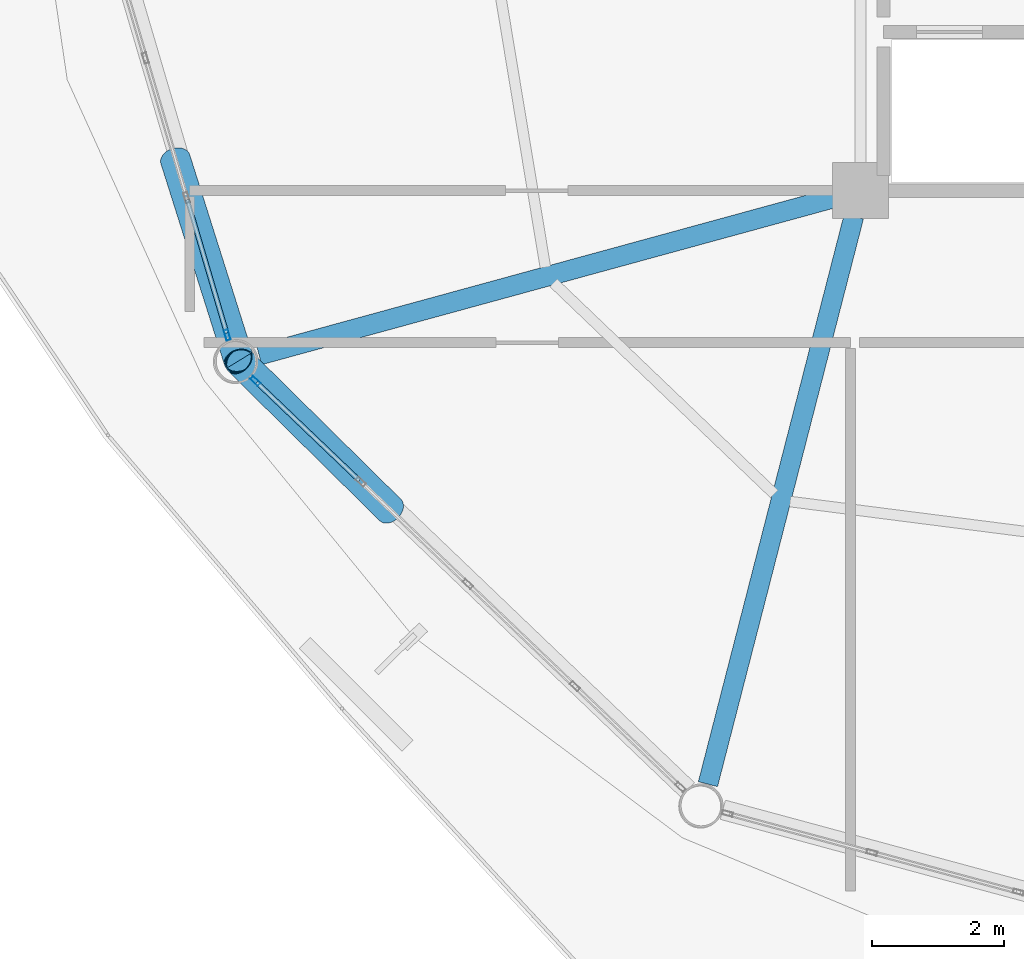
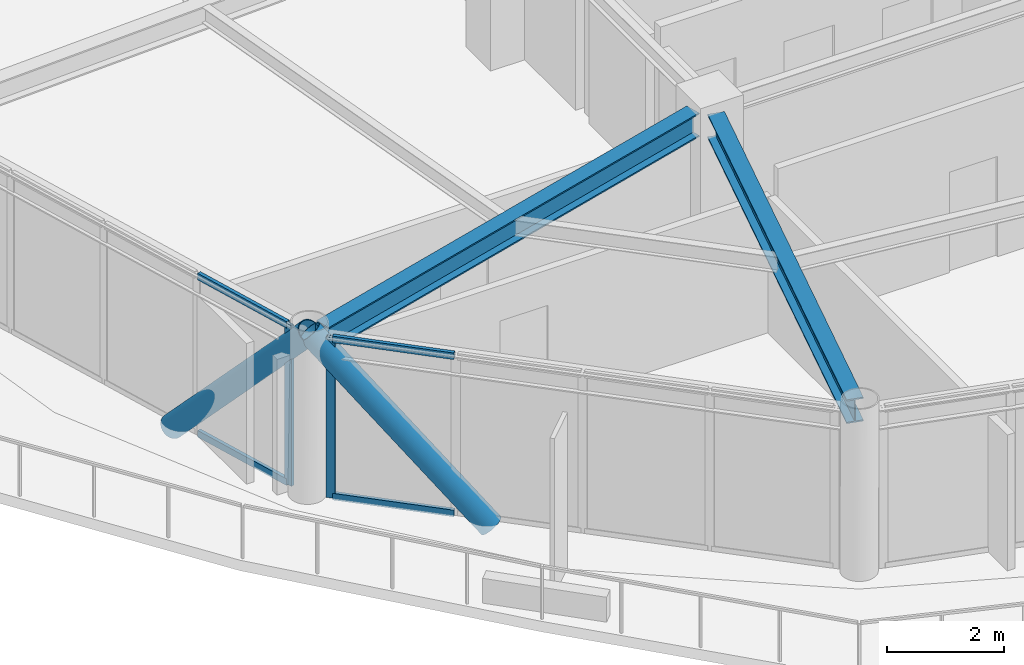
# One storey, part 4 of 28: 8 members, 2 beams, 2 elements without a shape of their own.
"""IFC4 building model written with IfcOpenShell, lengths in metres."""

from ifc_helpers import new_model, si_unit, direction, frame, origin, origin_2d, place, context, subcontext, project, spatial, hollow_rectangle, hollow_circle, i_section, extrude, material, layer, layer_set, material_profile, profile_set, type_object, element, aggregate, save


model = new_model("IFC4")

# Units and contexts
model_context = context("Model", 3, precision=1e-05, world=origin(), true_north=direction((0.0, 1.0)))
body_context = subcontext(model_context, "Body", "Model", "MODEL_VIEW")
ifc_project = project(units=[si_unit("LENGTHUNIT", "METRE"), si_unit("AREAUNIT", "SQUARE_METRE"), si_unit("VOLUMEUNIT", "CUBIC_METRE"), si_unit("PLANEANGLEUNIT", "RADIAN"), si_unit("MASSUNIT", "GRAM", prefix="KILO")], contexts=[model_context])

# Site, building, storey
site_placement = place(None, origin())
site = spatial("IfcSite", under=ifc_project, at=site_placement, CompositionType="ELEMENT")
building_placement = place(site_placement, origin())
building = spatial("IfcBuilding", under=site, at=building_placement, Name="Varnakorn Sky Granary", CompositionType="ELEMENT")
storey_placement = place(building_placement, frame((0.0, 0.0, 200.39990234375)))
storey = spatial("IfcBuildingStorey", under=building, at=storey_placement, Name="L50", CompositionType="ELEMENT", Elevation=200.39990234375)

# Beams
ifc_material_1 = material(Name="Steel S355JR", Category="steel")
ifc_material_profile_1 = material_profile(ifc_material_1, i_section(OverallWidth=0.300048828125, OverallDepth=0.5, WebThickness=0.014404296875, FlangeThickness=0.028076171875, at=origin_2d()), Name="HE 500 B")
ifc_profile_set_1 = profile_set([ifc_material_profile_1], Name="Steel S355JR")
beam_type = type_object("IfcBeamType", Name="BM-RAD-Z4", PredefinedType="BEAM", material=ifc_profile_set_1)
beam_1_placement = place(storey_placement, frame((-2.74072265625, -6.706787109375, 3.110107421875), z_axis=(-0.964575140849, -0.263808259265, 0.0), x_axis=(0.263808259265, -0.964575140849, 0.0)))
element("IfcBeam", 1, at=beam_1_placement, inside=storey, type_object=beam_type, Name="Radial Floor Girder RG08 L50", PredefinedType="BEAM", context=body_context, shape_type="SweptSolid", body=[
    extrude(i_section(OverallWidth=0.300048828125, OverallDepth=0.5, WebThickness=0.014404296875, FlangeThickness=0.028076171875, at=origin_2d()), origin(), (0.0, 0.0, 1.0), 9.029541015625),
])
beam_2_placement = place(storey_placement, frame((-2.45068359375, -6.9921875, 3.110107421875), z_axis=(-0.248923731021, -0.96852309014, 0.0), x_axis=(0.96852309014, -0.248923731021, 0.0)))
element("IfcBeam", 2, at=beam_2_placement, inside=storey, type_object=beam_type, Name="Radial Floor Girder RG09 L50", PredefinedType="BEAM", context=body_context, shape_type="SweptSolid", body=[
    extrude(i_section(OverallWidth=0.300048828125, OverallDepth=0.5, WebThickness=0.014404296875, FlangeThickness=0.028076171875, at=origin_2d()), origin(), (0.0, 0.0, 1.0), 8.8681640625),
])

# Curtain wall, member
ifc_material_2 = material(Name="Anodised Bronze Aluminium Alloy 6063-T6", Category="aluminium")
ifc_layer = layer(ifc_material_2, 0.169921875, Name="Anodised Bronze Aluminium Alloy 6063-T6")
ifc_layer_set = layer_set([ifc_layer], Name="Anodised Bronze Aluminium Alloy 6063-T6")
curtain_wall_type = type_object("IfcCurtainWallType", Name="CW-LAB-1", PredefinedType="USERDEFINED", material=ifc_layer_set)
curtain_wall_1_placement = place(storey_placement, origin())
curtain_wall_1 = element("IfcCurtainWall", 3, at=curtain_wall_1_placement, inside=storey, type_object=curtain_wall_type, Name="Unitised Curtain Wall CW5 CW-L50-B07", ObjectType="CURTAIN WALL", PredefinedType="USERDEFINED")
ifc_material_profile_2 = material_profile(ifc_material_2, hollow_rectangle(XDim=0.06494140625, YDim=0.159912109375, WallThickness=0.00341796875, at=origin_2d()), Name="ALU MULL 65x160")
ifc_profile_set_2 = profile_set([ifc_material_profile_2], Name="Anodised Bronze Aluminium Alloy 6063-T6")
member_type_1 = type_object("IfcMemberType", Name="CW-LAB-1-MULL", PredefinedType="MULLION", material=ifc_profile_set_2)
member_1_placement = place(storey_placement, frame((-11.932861328125, -8.783935546875, 0.0), z_axis=(0.0, 0.0, 1.0), x_axis=(-0.959077331245, -0.283144261272, 0.0)))
member_1 = element("IfcMember", 4, at=member_1_placement, type_object=member_type_1, Name="CW5 mullion 1", PredefinedType="MULLION", context=body_context, shape_type="SweptSolid", body=[
    extrude(hollow_rectangle(XDim=0.06494140625, YDim=0.159912109375, WallThickness=0.00341796875, at=origin_2d()), origin(), (0.0, 0.0, 1.0), 3.360107421875),
])

curtain_wall_2_placement = place(storey_placement, origin())
curtain_wall_2 = element("IfcCurtainWall", 5, at=curtain_wall_2_placement, inside=storey, type_object=curtain_wall_type, Name="Unitised Curtain Wall CW5 CW-L50-B08", ObjectType="CURTAIN WALL", PredefinedType="USERDEFINED")
member_2_placement = place(storey_placement, frame((-11.5078125, -9.48095703125, 0.0), z_axis=(0.0, 0.0, 1.0), x_axis=(-0.690696852284, -0.723144424195, 0.0)))
member_2 = element("IfcMember", 6, at=member_2_placement, type_object=member_type_1, Name="CW5 mullion 5", PredefinedType="MULLION", context=body_context, shape_type="SweptSolid", body=[
    extrude(hollow_rectangle(XDim=0.06494140625, YDim=0.159912109375, WallThickness=0.00341796875, at=origin_2d()), origin(), (0.0, 0.0, 1.0), 3.360107421875),
])

# Member
ifc_material_profile_3 = material_profile(ifc_material_2, hollow_rectangle(XDim=0.070068359375, YDim=0.139892578125, WallThickness=0.00341796875, at=origin_2d()), Name="ALU TRAN 70x140")
ifc_profile_set_3 = profile_set([ifc_material_profile_3], Name="Anodised Bronze Aluminium Alloy 6063-T6")
member_type_2 = type_object("IfcMemberType", Name="CW-LAB-1-TRAN", PredefinedType="USERDEFINED", material=ifc_profile_set_3)
member_3_placement = place(storey_placement, frame((-11.94189453125, -8.752685546875, 0.03515625), z_axis=(-0.283159278241, 0.959072897723, 0.0), x_axis=(-0.959072897723, -0.283159278241, 0.0)))
member_3 = element("IfcMember", 7, at=member_3_placement, type_object=member_type_2, Name="CW5 transom 1.1", ObjectType="TRANSOM", PredefinedType="USERDEFINED", context=body_context, shape_type="SweptSolid", body=[
    extrude(hollow_rectangle(XDim=0.070068359375, YDim=0.139892578125, WallThickness=0.00341796875, at=origin_2d()), origin(), (0.0, 0.0, 1.0), 2.10302734375),
])

member_4_placement = place(storey_placement, frame((-11.94189453125, -8.752685546875, 3.3251953125), z_axis=(-0.283159278241, 0.959072897723, 0.0), x_axis=(-0.959072897723, -0.283159278241, 0.0)))
member_4 = element("IfcMember", 8, at=member_4_placement, type_object=member_type_2, Name="CW5 transom 1.2", ObjectType="TRANSOM", PredefinedType="USERDEFINED", context=body_context, shape_type="SweptSolid", body=[
    extrude(hollow_rectangle(XDim=0.070068359375, YDim=0.139892578125, WallThickness=0.00341796875, at=origin_2d()), origin(), (0.0, 0.0, 1.0), 2.10302734375),
])

aggregate(curtain_wall_1, [member_1, member_3, member_4])

member_5_placement = place(storey_placement, frame((-9.93505859375, -10.98291015625, 0.03515625), z_axis=(-0.72310452813, 0.690738620173, 0.0), x_axis=(-0.690738620173, -0.72310452813, 0.0)))
member_5 = element("IfcMember", 9, at=member_5_placement, type_object=member_type_2, Name="CW5 transom 4.1", ObjectType="TRANSOM", PredefinedType="USERDEFINED", context=body_context, shape_type="SweptSolid", body=[
    extrude(hollow_rectangle(XDim=0.070068359375, YDim=0.139892578125, WallThickness=0.00341796875, at=origin_2d()), origin(), (0.0, 0.0, 1.0), 2.142333984375),
])

member_6_placement = place(storey_placement, frame((-9.93505859375, -10.98291015625, 3.3251953125), z_axis=(-0.72310452813, 0.690738620173, 0.0), x_axis=(-0.690738620173, -0.72310452813, 0.0)))
member_6 = element("IfcMember", 10, at=member_6_placement, type_object=member_type_2, Name="CW5 transom 4.2", ObjectType="TRANSOM", PredefinedType="USERDEFINED", context=body_context, shape_type="SweptSolid", body=[
    extrude(hollow_rectangle(XDim=0.070068359375, YDim=0.139892578125, WallThickness=0.00341796875, at=origin_2d()), origin(), (0.0, 0.0, 1.0), 2.142333984375),
])

aggregate(curtain_wall_2, [member_2, member_5, member_6])

# Members
ifc_material_3 = material(Name="Steel S460M", Category="steel")
ifc_material_profile_4 = material_profile(ifc_material_3, hollow_circle(Radius=0.228515625, WallThickness=0.01611328125, at=origin_2d()), Name="CHS 457x16")
ifc_profile_set_4 = profile_set([ifc_material_profile_4], Name="Steel S460M")
member_type_3 = type_object("IfcMemberType", Name="MB-DIAG-T3", PredefinedType="BRACE", material=ifc_profile_set_4)
member_7_placement = place(storey_placement, frame((-12.717529296875, -6.1259765625, -0.1298828125), z_axis=(0.203560052019, -0.643807039046, 0.737614941346), x_axis=(0.953475194919, 0.301471479038, 0.0)))
element("IfcMember", 11, at=member_7_placement, inside=storey, type_object=member_type_3, Name="Perimeter CHS Diagrid Brace DG07 L50", PredefinedType="BRACE", context=body_context, shape_type="SweptSolid", body=[
    extrude(hollow_circle(Radius=0.228515625, WallThickness=0.01611328125, at=origin_2d()), origin(), (0.0, 0.0, 1.0), 4.7314453125),
])
member_8_placement = place(storey_placement, frame((-9.465576171875, -11.431396484375, -0.1298828125), z_axis=(-0.482278249124, 0.476053644522, 0.735377874265), x_axis=(-0.702499127878, -0.711684603831, 0.0)))
element("IfcMember", 12, at=member_8_placement, inside=storey, type_object=member_type_3, Name="Perimeter CHS Diagrid Brace DG08 L50", PredefinedType="BRACE", context=body_context, shape_type="SweptSolid", body=[
    extrude(hollow_circle(Radius=0.228515625, WallThickness=0.01611328125, at=origin_2d()), origin(), (0.0, 0.0, 1.0), 4.745849609375),
])

save(model, "model.ifc")
